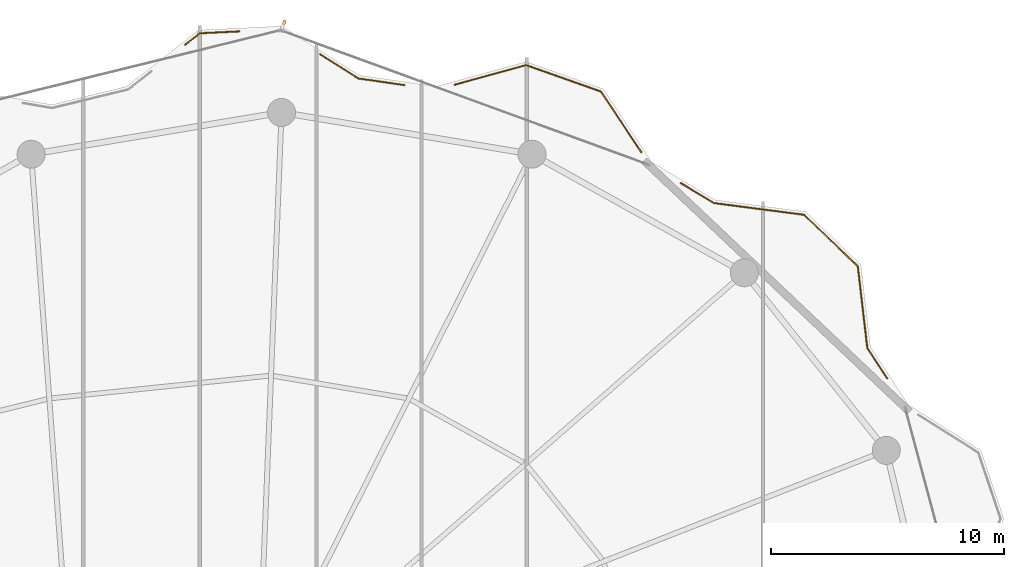
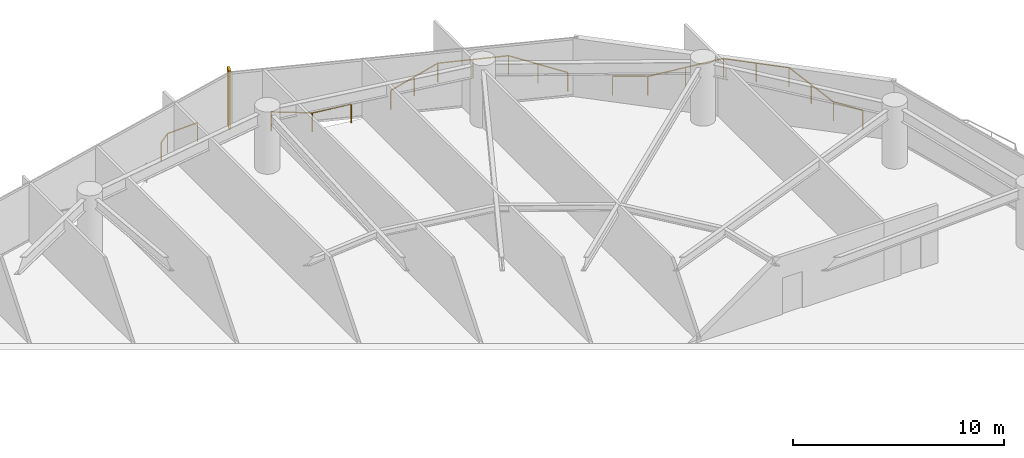
# One storey, part 28 of 28: 4 railings, 1 shading device.
"""IFC4 building model written with IfcOpenShell, lengths in metres."""

from ifc_helpers import new_model, si_unit, direction, frame, origin, origin_2d, place, context, subcontext, project, spatial, rectangle, extrude, material, type_object, element, save


model = new_model("IFC4")

# Units and contexts
model_context = context("Model", 3, precision=1e-05, world=origin(), true_north=direction((0.0, 1.0)))
body_context = subcontext(model_context, "Body", "Model", "MODEL_VIEW")
ifc_project = project(units=[si_unit("LENGTHUNIT", "METRE"), si_unit("AREAUNIT", "SQUARE_METRE"), si_unit("VOLUMEUNIT", "CUBIC_METRE"), si_unit("PLANEANGLEUNIT", "RADIAN"), si_unit("MASSUNIT", "GRAM", prefix="KILO")], contexts=[model_context])

# Site, building, storey
site_placement = place(None, origin())
site = spatial("IfcSite", under=ifc_project, at=site_placement, CompositionType="ELEMENT")
building_placement = place(site_placement, origin())
building = spatial("IfcBuilding", under=site, at=building_placement, Name="Kazevale Care Tower and Concert Hall", CompositionType="ELEMENT")
storey_placement = place(building_placement, frame((0.0, 0.0, 109.800048828125)))
storey = spatial("IfcBuildingStorey", under=building, at=storey_placement, Name="L28", CompositionType="ELEMENT", Elevation=109.800048828125)

# Railings
ifc_material_1 = material(Name="Anodised Bronze Aluminium and Laminated Glass", Category="aluminium")
railing_type = type_object("IfcRailingType", Name="Balcony and Terrace Balustrade 1120", PredefinedType="BALUSTRADE", material=ifc_material_1)
railing_1_placement = place(storey_placement, frame((40.875, 64.35400390625, 0.0)))
element("IfcRailing", 1, at=railing_1_placement, inside=storey, type_object=railing_type, Name="rail:L28:perim:6", PredefinedType="BALUSTRADE", context=body_context, shape_type="SweptSolid", body=[
    extrude(rectangle(XDim=0.048095703125, YDim=0.048095703125, at=origin_2d()), frame((0.0, 0.0, 1.09619140625), z_axis=(0.786296888073, 0.61784885191, 0.0), x_axis=(-0.61784885191, 0.786296888073, 0.0)), (0.0, 0.0, 1.0), 0.789794921875),
    extrude(rectangle(XDim=0.048095703125, YDim=0.048095703125, at=origin_2d()), frame((0.62109375, 0.488037109375, 1.09619140625), z_axis=(0.998846104171, 0.04802562007, 0.0), x_axis=(-0.04802562007, 0.998846104171, 0.0)), (0.0, 0.0, 1.0), 1.687744140625),
    extrude(rectangle(XDim=0.0419921875, YDim=0.0419921875, at=origin_2d()), origin(), (0.0, 0.0, 1.0), 1.072021484375),
    extrude(rectangle(XDim=0.0419921875, YDim=0.0419921875, at=origin_2d()), frame((0.62109375, 0.488037109375, 0.0)), (0.0, 0.0, 1.0), 1.072021484375),
    extrude(rectangle(XDim=0.0419921875, YDim=0.0419921875, at=origin_2d()), frame((2.306884765625, 0.569091796875, 0.0)), (0.0, 0.0, 1.0), 1.072021484375),
])
railing_2_placement = place(storey_placement, frame((46.64794921875, 63.943115234375, 0.0)))
element("IfcRailing", 2, at=railing_2_placement, inside=storey, type_object=railing_type, Name="rail:L28:perim:7", PredefinedType="BALUSTRADE", context=body_context, shape_type="SweptSolid", body=[
    extrude(rectangle(XDim=0.048095703125, YDim=0.048095703125, at=origin_2d()), frame((0.0, 0.0, 1.09619140625), z_axis=(0.845285408951, -0.534315054452, 0.0), x_axis=(0.534315054452, 0.845285408951, 0.0)), (0.0, 0.0, 1.0), 1.939208984375),
    extrude(rectangle(XDim=0.048095703125, YDim=0.048095703125, at=origin_2d()), frame((1.63916015625, -1.0361328125, 1.09619140625), z_axis=(0.989851165492, -0.142107952534, 0.0), x_axis=(0.142107952534, 0.989851165492, 0.0)), (0.0, 0.0, 1.0), 1.9912109375),
    extrude(rectangle(XDim=0.0419921875, YDim=0.0419921875, at=origin_2d()), origin(), (0.0, 0.0, 1.0), 1.072021484375),
    extrude(rectangle(XDim=0.0419921875, YDim=0.0419921875, at=origin_2d()), frame((1.63916015625, -1.0361328125, 0.0)), (0.0, 0.0, 1.0), 1.072021484375),
    extrude(rectangle(XDim=0.0419921875, YDim=0.0419921875, at=origin_2d()), frame((3.610107421875, -1.319091796875, 0.0)), (0.0, 0.0, 1.0), 1.072021484375),
])
railing_3_placement = place(storey_placement, frame((52.426025390625, 62.64111328125, 0.0)))
element("IfcRailing", 3, at=railing_3_placement, inside=storey, type_object=railing_type, Name="rail:L28:perim:8", PredefinedType="BALUSTRADE", context=body_context, shape_type="SweptSolid", body=[
    extrude(rectangle(XDim=0.048095703125, YDim=0.048095703125, at=origin_2d()), frame((0.0, 0.0, 1.09619140625), z_axis=(0.964305315259, 0.264792860484, 0.0), x_axis=(-0.264792860484, 0.964305315259, 0.0)), (0.0, 0.0, 1.0), 3.16796875),
    extrude(rectangle(XDim=0.048095703125, YDim=0.048095703125, at=origin_2d()), frame((3.054931640625, 0.8388671875, 1.09619140625), z_axis=(0.942606504608, -0.333905641567, 0.0), x_axis=(0.333905641567, 0.942606504608, 0.0)), (0.0, 0.0, 1.0), 3.399169921875),
    extrude(rectangle(XDim=0.048095703125, YDim=0.048095703125, at=origin_2d()), frame((6.259033203125, -0.296142578125, 1.09619140625), z_axis=(0.554087210484, -0.832458625505, 0.0), x_axis=(0.832458625505, 0.554087210484, 0.0)), (0.0, 0.0, 1.0), 3.125732421875),
    extrude(rectangle(XDim=0.0419921875, YDim=0.0419921875, at=origin_2d()), origin(), (0.0, 0.0, 1.0), 1.072021484375),
    extrude(rectangle(XDim=0.0419921875, YDim=0.0419921875, at=origin_2d()), frame((1.52734375, 0.41943359375, 0.0)), (0.0, 0.0, 1.0), 1.072021484375),
    extrude(rectangle(XDim=0.0419921875, YDim=0.0419921875, at=origin_2d()), frame((3.054931640625, 0.8388671875, 0.0)), (0.0, 0.0, 1.0), 1.072021484375),
    extrude(rectangle(XDim=0.0419921875, YDim=0.0419921875, at=origin_2d()), frame((4.656982421875, 0.271484375, 0.0)), (0.0, 0.0, 1.0), 1.072021484375),
    extrude(rectangle(XDim=0.0419921875, YDim=0.0419921875, at=origin_2d()), frame((6.259033203125, -0.296142578125, 0.0)), (0.0, 0.0, 1.0), 1.072021484375),
    extrude(rectangle(XDim=0.0419921875, YDim=0.0419921875, at=origin_2d()), frame((7.125, -1.59716796875, 0.0)), (0.0, 0.0, 1.0), 1.072021484375),
    extrude(rectangle(XDim=0.0419921875, YDim=0.0419921875, at=origin_2d()), frame((7.990966796875, -2.898193359375, 0.0)), (0.0, 0.0, 1.0), 1.072021484375),
])
railing_4_placement = place(storey_placement, frame((62.10400390625, 58.425048828125, 0.0)))
element("IfcRailing", 4, at=railing_4_placement, inside=storey, type_object=railing_type, Name="rail:L28:perim:9", PredefinedType="BALUSTRADE", context=body_context, shape_type="SweptSolid", body=[
    extrude(rectangle(XDim=0.048095703125, YDim=0.048095703125, at=origin_2d()), frame((0.0, 0.0, 1.09619140625), z_axis=(0.857286075964, -0.514840348029, 0.0), x_axis=(0.514840348029, 0.857286075964, 0.0)), (0.0, 0.0, 1.0), 1.666748046875),
    extrude(rectangle(XDim=0.048095703125, YDim=0.048095703125, at=origin_2d()), frame((1.428955078125, -0.858154296875, 1.09619140625), z_axis=(0.991624912909, -0.12915119859, 0.0), x_axis=(0.12915119859, 0.991624912909, 0.0)), (0.0, 0.0, 1.0), 3.886474609375),
    extrude(rectangle(XDim=0.048095703125, YDim=0.048095703125, at=origin_2d()), frame((5.282958984375, -1.360107421875, 1.09619140625), z_axis=(0.722483817146, -0.691387831801, 0.0), x_axis=(0.691387831801, 0.722483817146, 0.0)), (0.0, 0.0, 1.0), 3.1875),
    extrude(rectangle(XDim=0.048095703125, YDim=0.048095703125, at=origin_2d()), frame((7.5859375, -3.56396484375, 1.09619140625), z_axis=(0.115399198522, -0.993319195919, 0.0), x_axis=(0.993319195919, 0.115399198522, 0.0)), (0.0, 0.0, 1.0), 3.52685546875),
    extrude(rectangle(XDim=0.048095703125, YDim=0.048095703125, at=origin_2d()), frame((7.992919921875, -7.067138671875, 1.09619140625), z_axis=(0.547143637921, -0.837038732367, 0.0), x_axis=(0.837038732367, 0.547143637921, 0.0)), (0.0, 0.0, 1.0), 1.555419921875),
    extrude(rectangle(XDim=0.0419921875, YDim=0.0419921875, at=origin_2d()), origin(), (0.0, 0.0, 1.0), 1.072021484375),
    extrude(rectangle(XDim=0.0419921875, YDim=0.0419921875, at=origin_2d()), frame((1.428955078125, -0.858154296875, 0.0)), (0.0, 0.0, 1.0), 1.072021484375),
    extrude(rectangle(XDim=0.0419921875, YDim=0.0419921875, at=origin_2d()), frame((3.35595703125, -1.109130859375, 0.0)), (0.0, 0.0, 1.0), 1.072021484375),
    extrude(rectangle(XDim=0.0419921875, YDim=0.0419921875, at=origin_2d()), frame((5.282958984375, -1.360107421875, 0.0)), (0.0, 0.0, 1.0), 1.072021484375),
    extrude(rectangle(XDim=0.0419921875, YDim=0.0419921875, at=origin_2d()), frame((6.4345703125, -2.4619140625, 0.0)), (0.0, 0.0, 1.0), 1.072021484375),
    extrude(rectangle(XDim=0.0419921875, YDim=0.0419921875, at=origin_2d()), frame((7.5859375, -3.56396484375, 0.0)), (0.0, 0.0, 1.0), 1.072021484375),
    extrude(rectangle(XDim=0.0419921875, YDim=0.0419921875, at=origin_2d()), frame((7.78955078125, -5.3154296875, 0.0)), (0.0, 0.0, 1.0), 1.072021484375),
    extrude(rectangle(XDim=0.0419921875, YDim=0.0419921875, at=origin_2d()), frame((7.992919921875, -7.067138671875, 0.0)), (0.0, 0.0, 1.0), 1.072021484375),
    extrude(rectangle(XDim=0.0419921875, YDim=0.0419921875, at=origin_2d()), frame((8.843994140625, -8.369140625, 0.0)), (0.0, 0.0, 1.0), 1.072021484375),
])

# Shading device
ifc_material_2 = material(Name="Honed Ochre Limestone", Category="masonry")
shading_device_type = type_object("IfcShadingDeviceType", Name="Vertical Honed Limestone Fin FIN-01", PredefinedType="USERDEFINED", material=ifc_material_2)
shading_device_placement = place(storey_placement, frame((45.084228515625, 65.21240234375, 0.0), z_axis=(0.0, 0.0, 1.0), x_axis=(0.343167938899, 0.939274063153, 0.0)))
element("IfcShadingDevice", 5, at=shading_device_placement, inside=storey, type_object=shading_device_type, Name="cw:L28:f16:fin", ObjectType="FIN", PredefinedType="USERDEFINED", context=body_context, shape_type="SweptSolid", body=[
    extrude(rectangle(XDim=0.3798828125, YDim=0.1201171875, at=origin_2d()), origin(), (0.0, 0.0, 1.0), 3.360107421875),
])

save(model, "model.ifc")
